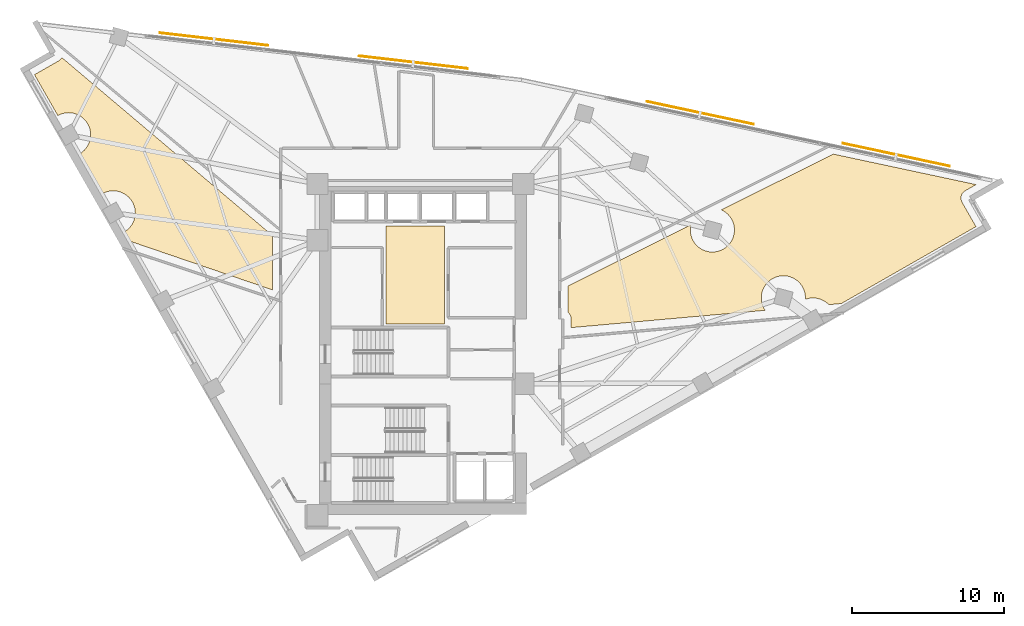
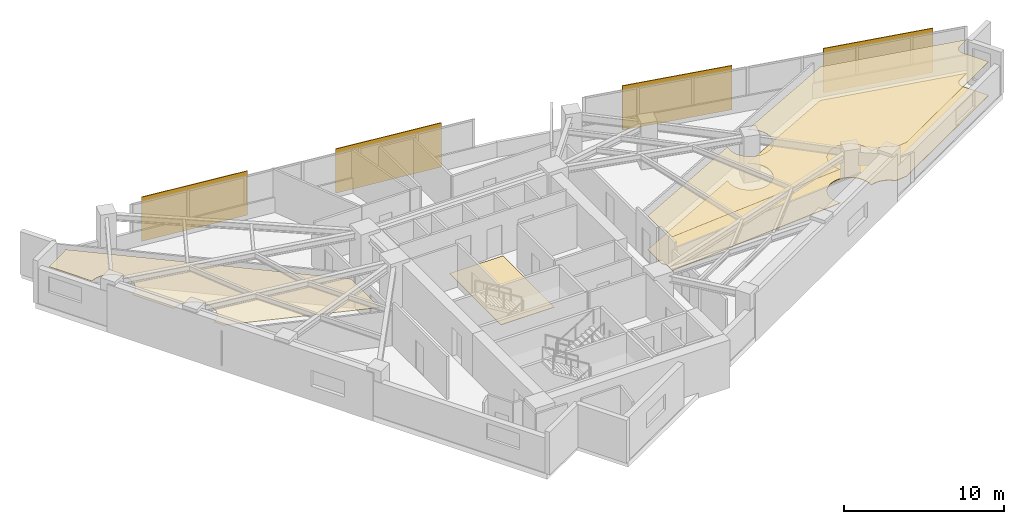
# One storey, part 13 of 13: 4 coverings, 4 shading devices.
"""IFC4 building model written with IfcOpenShell, lengths in metres."""

from ifc_helpers import new_model, si_unit, direction, frame, origin, origin_2d, place, context, subcontext, project, spatial, polyline, rectangle, outline, extrude, material, layer, layer_set, type_object, element, save


model = new_model("IFC4")

# Units and contexts
model_context = context("Model", 3, precision=1e-05, world=origin(), true_north=direction((0.0, 1.0)))
body_context = subcontext(model_context, "Body", "Model", "MODEL_VIEW")
ifc_project = project(units=[si_unit("LENGTHUNIT", "METRE"), si_unit("AREAUNIT", "SQUARE_METRE"), si_unit("VOLUMEUNIT", "CUBIC_METRE"), si_unit("PLANEANGLEUNIT", "RADIAN"), si_unit("MASSUNIT", "GRAM", prefix="KILO")], contexts=[model_context])

# Site, building, storey
site_placement = place(None, origin())
site = spatial("IfcSite", under=ifc_project, at=site_placement, CompositionType="ELEMENT")
building_placement = place(site_placement, origin())
building = spatial("IfcBuilding", under=site, at=building_placement, Name="Narakoshi Arena Tower", CompositionType="ELEMENT")
storey_placement = place(building_placement, frame((0.0, 0.0, 200.89990234375)))
storey = spatial("IfcBuildingStorey", under=building, at=storey_placement, Name="L54", CompositionType="ELEMENT", Elevation=200.89990234375)

# Coverings
ifc_material_1 = material(Name="Acoustic mineral-fibre ceiling tile")
ifc_layer_1 = layer(ifc_material_1, 0.02001953125)
ifc_layer_set_1 = layer_set([ifc_layer_1], Name="Acoustic mineral-fibre ceiling tile")
covering_type_1 = type_object("IfcCoveringType", Name="COV-CLG-AC20", PredefinedType="CEILING", material=ifc_layer_set_1)
covering_1_placement = place(storey_placement, frame((0.0, 0.0, 2.590087890625)))
element("IfcCovering", 1, at=covering_1_placement, inside=storey, type_object=covering_type_1, Name="L54 Suspended Acoustic Ceiling 1", PredefinedType="CEILING", context=body_context, shape_type="SweptSolid", body=[
    extrude(outline(polyline([(88.50537109375, 49.794921875), (96.589111328125, 53.81201171875), (96.57568359375, 53.758056640625), (96.554931640625, 53.6171875), (96.5478515625, 53.47509765625), (96.554931640625, 53.3330078125), (96.57568359375, 53.1923828125), (96.6103515625, 53.05419921875), (96.658203125, 52.92041015625), (96.718994140625, 52.791748046875), (96.792236328125, 52.669677734375), (96.876953125, 52.555419921875), (96.97265625, 52.449951171875), (97.077880859375, 52.354248046875), (97.1923828125, 52.26953125), (97.314453125, 52.1962890625), (97.443115234375, 52.135498046875), (97.576904296875, 52.087646484375), (97.715087890625, 52.052978515625), (97.855712890625, 52.0322265625), (97.997802734375, 52.025146484375), (98.139892578125, 52.0322265625), (98.28076171875, 52.052978515625), (98.418701171875, 52.087646484375), (98.552734375, 52.135498046875), (98.681396484375, 52.1962890625), (98.803466796875, 52.26953125), (98.917724609375, 52.354248046875), (99.023193359375, 52.449951171875), (99.118896484375, 52.555419921875), (99.20361328125, 52.669677734375), (99.276611328125, 52.791748046875), (99.33740234375, 52.92041015625), (99.385498046875, 53.05419921875), (99.419921875, 53.1923828125), (99.44091796875, 53.3330078125), (99.447998046875, 53.47509765625), (99.44091796875, 53.6171875), (99.419921875, 53.758056640625), (99.385498046875, 53.89599609375), (99.33740234375, 54.030029296875), (99.276611328125, 54.15869140625), (99.20361328125, 54.28076171875), (99.118896484375, 54.39501953125), (99.023193359375, 54.50048828125), (98.917724609375, 54.59619140625), (98.803466796875, 54.680908203125), (98.681396484375, 54.75390625), (98.580810546875, 54.801513671875), (105.962890625, 58.469482421875), (115.35791015625, 56.462890625), (114.636962890625, 56.05078125), (114.591552734375, 56.021728515625), (114.549072265625, 55.98828125), (114.510009765625, 55.950927734375), (114.47509765625, 55.909912109375), (114.444091796875, 55.86572265625), (114.417724609375, 55.818603515625), (114.39599609375, 55.769287109375), (114.37939453125, 55.718017578125), (114.36767578125, 55.665283203125), (114.361083984375, 55.61181640625), (114.360107421875, 55.5576171875), (114.3642578125, 55.50390625), (114.373779296875, 55.45068359375), (114.38818359375, 55.398681640625), (114.407958984375, 55.348388671875), (114.432373046875, 55.30029296875), (115.35009765625, 53.694580078125), (106.495849609375, 48.6337890625), (105.65966796875, 48.559326171875), (105.64501953125, 48.5751953125), (105.539794921875, 48.6708984375), (105.42529296875, 48.755615234375), (105.30322265625, 48.828857421875), (105.1748046875, 48.8896484375), (105.040771484375, 48.9375), (104.902587890625, 48.97216796875), (104.761962890625, 48.992919921875), (104.619873046875, 49.0), (104.477783203125, 48.992919921875), (104.3369140625, 48.97216796875), (104.198974609375, 48.9375), (104.11376953125, 48.906982421875), (104.118896484375, 49.009521484375), (104.11181640625, 49.151611328125), (104.0908203125, 49.29248046875), (104.056396484375, 49.430419921875), (104.00830078125, 49.564453125), (103.947509765625, 49.693115234375), (103.87451171875, 49.815185546875), (103.789794921875, 49.929443359375), (103.694091796875, 50.034912109375), (103.588623046875, 50.13037109375), (103.474365234375, 50.215087890625), (103.352294921875, 50.288330078125), (103.2236328125, 50.34912109375), (103.089599609375, 50.397216796875), (102.95166015625, 50.431640625), (102.810791015625, 50.452392578125), (102.668701171875, 50.45947265625), (102.526611328125, 50.452392578125), (102.385986328125, 50.431640625), (102.247802734375, 50.397216796875), (102.114013671875, 50.34912109375), (101.9853515625, 50.288330078125), (101.86328125, 50.215087890625), (101.748779296875, 50.13037109375), (101.6435546875, 50.034912109375), (101.5478515625, 49.929443359375), (101.463134765625, 49.815185546875), (101.389892578125, 49.693115234375), (101.3291015625, 49.564453125), (101.28125, 49.430419921875), (101.24658203125, 49.29248046875), (101.225830078125, 49.151611328125), (101.21875, 49.009521484375), (101.225830078125, 48.867431640625), (101.24658203125, 48.7265625), (101.28125, 48.588623046875), (101.3291015625, 48.45458984375), (101.389892578125, 48.325927734375), (101.463134765625, 48.203857421875), (101.476318359375, 48.186279296875), (88.699951171875, 47.047119140625), (88.699951171875, 47.6201171875), (88.697509765625, 47.673828125), (88.689453125, 47.727294921875), (88.67626953125, 47.77978515625), (88.658203125, 47.83056640625), (88.635009765625, 47.87939453125), (88.607421875, 47.925537109375), (88.5751953125, 47.968994140625), (88.538818359375, 48.0087890625), (88.50537109375, 48.039306640625), (88.50537109375, 49.794921875)])), origin(), (0.0, 0.0, 1.0), 0.02001953125),
])
ifc_material_2 = material(Name="Slatted oak acoustic timber baffle", Category="wood")
ifc_layer_2 = layer(ifc_material_2, 0.034912109375)
ifc_layer_set_2 = layer_set([ifc_layer_2], Name="Slatted oak acoustic timber baffle")
covering_type_2 = type_object("IfcCoveringType", Name="COV-CLG-WD35", PredefinedType="CEILING", material=ifc_layer_set_2)
covering_2_placement = place(storey_placement, frame((0.0, 0.0, 2.5751953125)))
element("IfcCovering", 2, at=covering_2_placement, inside=storey, type_object=covering_type_2, Name="L54 Suspended Acoustic Ceiling 2", PredefinedType="CEILING", context=body_context, shape_type="SweptSolid", body=[
    extrude(outline(polyline([(54.981201171875, 64.615478515625), (55.026611328125, 64.644287109375), (55.069091796875, 64.677734375), (55.10791015625, 64.715087890625), (55.14306640625, 64.756103515625), (55.174072265625, 64.80029296875), (55.183837890625, 64.818115234375), (69.044677734375, 53.10693359375), (69.044677734375, 49.52783203125), (59.635986328125, 52.743408203125), (59.290283203125, 53.348388671875), (59.368408203125, 53.3955078125), (59.482666015625, 53.47998046875), (59.588134765625, 53.57568359375), (59.68359375, 53.68115234375), (59.768310546875, 53.79541015625), (59.841552734375, 53.91748046875), (59.90234375, 54.046142578125), (59.950439453125, 54.18017578125), (59.98486328125, 54.318115234375), (60.005859375, 54.458984375), (60.0126953125, 54.60107421875), (60.005859375, 54.7431640625), (59.98486328125, 54.8837890625), (59.950439453125, 55.02197265625), (59.90234375, 55.156005859375), (59.841552734375, 55.284423828125), (59.768310546875, 55.406494140625), (59.68359375, 55.52099609375), (59.588134765625, 55.626220703125), (59.482666015625, 55.721923828125), (59.368408203125, 55.806640625), (59.246337890625, 55.8798828125), (59.11767578125, 55.940673828125), (58.983642578125, 55.988525390625), (58.845703125, 56.023193359375), (58.704833984375, 56.0439453125), (58.562744140625, 56.051025390625), (58.420654296875, 56.0439453125), (58.27978515625, 56.023193359375), (58.141845703125, 55.988525390625), (58.0078125, 55.940673828125), (57.87939453125, 55.8798828125), (57.8525390625, 55.86376953125), (56.35205078125, 58.489013671875), (56.430419921875, 58.535888671875), (56.544677734375, 58.62060546875), (56.64990234375, 58.71630859375), (56.74560546875, 58.82177734375), (56.830322265625, 58.93603515625), (56.903564453125, 59.05810546875), (56.96435546875, 59.186767578125), (57.01220703125, 59.32080078125), (57.046875, 59.458740234375), (57.067626953125, 59.599609375), (57.07470703125, 59.74169921875), (57.067626953125, 59.8837890625), (57.046875, 60.0244140625), (57.01220703125, 60.16259765625), (56.96435546875, 60.29638671875), (56.903564453125, 60.425048828125), (56.830322265625, 60.547119140625), (56.74560546875, 60.66162109375), (56.64990234375, 60.766845703125), (56.544677734375, 60.862548828125), (56.430419921875, 60.947265625), (56.30810546875, 61.0205078125), (56.1796875, 61.081298828125), (56.045654296875, 61.129150390625), (55.90771484375, 61.163818359375), (55.766845703125, 61.1845703125), (55.624755859375, 61.191650390625), (55.482666015625, 61.1845703125), (55.341796875, 61.163818359375), (55.203857421875, 61.129150390625), (55.06982421875, 61.081298828125), (54.941162109375, 61.0205078125), (54.91455078125, 61.00439453125), (53.375244140625, 63.697509765625), (54.981201171875, 64.615478515625)])), origin(), (0.0, 0.0, 1.0), 0.034912109375),
])
ifc_material_3 = material(Name="Raised steel access floor panel", Category="steel")
ifc_layer_3 = layer(ifc_material_3, 0.044921875)
ifc_layer_set_3 = layer_set([ifc_layer_3], Name="Raised steel access floor panel")
covering_type_3 = type_object("IfcCoveringType", Name="COV-FLR-RF45", PredefinedType="FLOORING", material=ifc_layer_set_3)
covering_3_placement = place(storey_placement, origin())
element("IfcCovering", 3, at=covering_3_placement, inside=storey, type_object=covering_type_3, Name="L54 Raised Steel Access Floor", PredefinedType="FLOORING", context=body_context, shape_type="SweptSolid", body=[
    extrude(outline(polyline([(88.50537109375, 49.794921875), (96.589111328125, 53.81201171875), (96.57568359375, 53.758056640625), (96.554931640625, 53.6171875), (96.5478515625, 53.47509765625), (96.554931640625, 53.3330078125), (96.57568359375, 53.1923828125), (96.6103515625, 53.05419921875), (96.658203125, 52.92041015625), (96.718994140625, 52.791748046875), (96.792236328125, 52.669677734375), (96.876953125, 52.555419921875), (96.97265625, 52.449951171875), (97.077880859375, 52.354248046875), (97.1923828125, 52.26953125), (97.314453125, 52.1962890625), (97.443115234375, 52.135498046875), (97.576904296875, 52.087646484375), (97.715087890625, 52.052978515625), (97.855712890625, 52.0322265625), (97.997802734375, 52.025146484375), (98.139892578125, 52.0322265625), (98.28076171875, 52.052978515625), (98.418701171875, 52.087646484375), (98.552734375, 52.135498046875), (98.681396484375, 52.1962890625), (98.803466796875, 52.26953125), (98.917724609375, 52.354248046875), (99.023193359375, 52.449951171875), (99.118896484375, 52.555419921875), (99.20361328125, 52.669677734375), (99.276611328125, 52.791748046875), (99.33740234375, 52.92041015625), (99.385498046875, 53.05419921875), (99.419921875, 53.1923828125), (99.44091796875, 53.3330078125), (99.447998046875, 53.47509765625), (99.44091796875, 53.6171875), (99.419921875, 53.758056640625), (99.385498046875, 53.89599609375), (99.33740234375, 54.030029296875), (99.276611328125, 54.15869140625), (99.20361328125, 54.28076171875), (99.118896484375, 54.39501953125), (99.023193359375, 54.50048828125), (98.917724609375, 54.59619140625), (98.803466796875, 54.680908203125), (98.681396484375, 54.75390625), (98.580810546875, 54.801513671875), (105.962890625, 58.469482421875), (115.35791015625, 56.462890625), (114.636962890625, 56.05078125), (114.591552734375, 56.021728515625), (114.549072265625, 55.98828125), (114.510009765625, 55.950927734375), (114.47509765625, 55.909912109375), (114.444091796875, 55.86572265625), (114.417724609375, 55.818603515625), (114.39599609375, 55.769287109375), (114.37939453125, 55.718017578125), (114.36767578125, 55.665283203125), (114.361083984375, 55.61181640625), (114.360107421875, 55.5576171875), (114.3642578125, 55.50390625), (114.373779296875, 55.45068359375), (114.38818359375, 55.398681640625), (114.407958984375, 55.348388671875), (114.432373046875, 55.30029296875), (115.35009765625, 53.694580078125), (106.495849609375, 48.6337890625), (105.65966796875, 48.559326171875), (105.64501953125, 48.5751953125), (105.539794921875, 48.6708984375), (105.42529296875, 48.755615234375), (105.30322265625, 48.828857421875), (105.1748046875, 48.8896484375), (105.040771484375, 48.9375), (104.902587890625, 48.97216796875), (104.761962890625, 48.992919921875), (104.619873046875, 49.0), (104.477783203125, 48.992919921875), (104.3369140625, 48.97216796875), (104.198974609375, 48.9375), (104.11376953125, 48.906982421875), (104.118896484375, 49.009521484375), (104.11181640625, 49.151611328125), (104.0908203125, 49.29248046875), (104.056396484375, 49.430419921875), (104.00830078125, 49.564453125), (103.947509765625, 49.693115234375), (103.87451171875, 49.815185546875), (103.789794921875, 49.929443359375), (103.694091796875, 50.034912109375), (103.588623046875, 50.13037109375), (103.474365234375, 50.215087890625), (103.352294921875, 50.288330078125), (103.2236328125, 50.34912109375), (103.089599609375, 50.397216796875), (102.95166015625, 50.431640625), (102.810791015625, 50.452392578125), (102.668701171875, 50.45947265625), (102.526611328125, 50.452392578125), (102.385986328125, 50.431640625), (102.247802734375, 50.397216796875), (102.114013671875, 50.34912109375), (101.9853515625, 50.288330078125), (101.86328125, 50.215087890625), (101.748779296875, 50.13037109375), (101.6435546875, 50.034912109375), (101.5478515625, 49.929443359375), (101.463134765625, 49.815185546875), (101.389892578125, 49.693115234375), (101.3291015625, 49.564453125), (101.28125, 49.430419921875), (101.24658203125, 49.29248046875), (101.225830078125, 49.151611328125), (101.21875, 49.009521484375), (101.225830078125, 48.867431640625), (101.24658203125, 48.7265625), (101.28125, 48.588623046875), (101.3291015625, 48.45458984375), (101.389892578125, 48.325927734375), (101.463134765625, 48.203857421875), (101.476318359375, 48.186279296875), (88.699951171875, 47.047119140625), (88.699951171875, 47.6201171875), (88.697509765625, 47.673828125), (88.689453125, 47.727294921875), (88.67626953125, 47.77978515625), (88.658203125, 47.83056640625), (88.635009765625, 47.87939453125), (88.607421875, 47.925537109375), (88.5751953125, 47.968994140625), (88.538818359375, 48.0087890625), (88.50537109375, 48.039306640625), (88.50537109375, 49.794921875)])), origin(), (0.0, 0.0, 1.0), 0.045166015625),
])
ifc_material_4 = material(Name="Honed granite stone paving", Category="masonry")
ifc_layer_4 = layer(ifc_material_4, 0.030029296875)
ifc_layer_set_4 = layer_set([ifc_layer_4], Name="Honed granite stone paving")
covering_type_4 = type_object("IfcCoveringType", Name="COV-FLR-ST30", PredefinedType="FLOORING", material=ifc_layer_set_4)
covering_4_placement = place(storey_placement, origin())
element("IfcCovering", 4, at=covering_4_placement, inside=storey, type_object=covering_type_4, Name="L54 Lift Lobby Granite Flooring", PredefinedType="FLOORING", context=body_context, shape_type="SweptSolid", body=[
    extrude(outline(polyline([(76.5, 47.300048828125), (80.35009765625, 47.300048828125), (80.35009765625, 53.75), (76.5, 53.75), (76.5, 47.300048828125)])), origin(), (0.0, 0.0, 1.0), 0.030029296875),
])

# Shading devices
ifc_material_5 = material(Name="Perforated bronze ceramic-metal composite")
ifc_layer_5 = layer(ifc_material_5, 0.06005859375)
ifc_layer_set_5 = layer_set([ifc_layer_5], Name="Perforated bronze ceramic-metal composite")
shading_device_type = type_object("IfcShadingDeviceType", Name="SHD-SCR-BRZ2", PredefinedType="USERDEFINED", material=ifc_layer_set_5)
for number, where, z_axis, x_axis, name in (
    (5, (110.10107421875, 58.42431640625, 0.0), (0.0, 0.0, 1.0), (-0.977936632473, 0.208901754101, 0.0), "L54 Perforated Bronze Solar Screen 1-1"),
    (6, (97.1923828125, 61.181640625, 0.0), (0.0, 0.0, 1.0), (-0.977936632473, 0.208901754101, 0.0), "L54 Perforated Bronze Solar Screen 1-2"),
    (7, (78.312255859375, 64.513916015625, 0.0), (0.0, 0.0, 1.0), (-0.993364739053, 0.115006500715, 0.0), "L54 Perforated Bronze Solar Screen 2-1"),
    (8, (65.199951171875, 66.031982421875, 0.0), (0.0, 0.0, 1.0), (-0.993364739053, 0.115006500715, 0.0), "L54 Perforated Bronze Solar Screen 2-2"),
):
    element("IfcShadingDevice", number, at=place(storey_placement, frame(where, z_axis=z_axis, x_axis=x_axis)), inside=storey, type_object=shading_device_type, Name=name, ObjectType="SOLAR SCREEN", PredefinedType="USERDEFINED", context=body_context, shape_type="SweptSolid", body=[
        extrude(rectangle(XDim=7.199951171875, YDim=0.06005859375, at=origin_2d()), origin(), (0.0, 0.0, 1.0), 3.3701171875),
    ])

save(model, "model.ifc")
